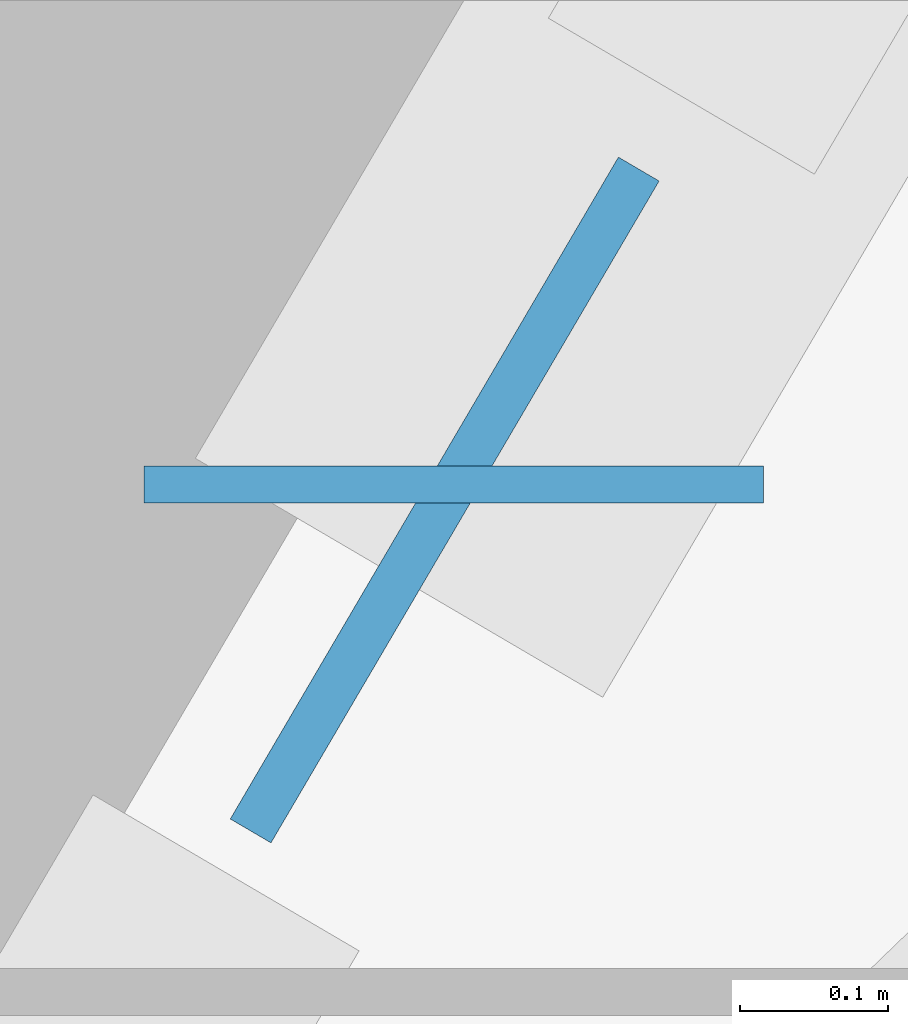
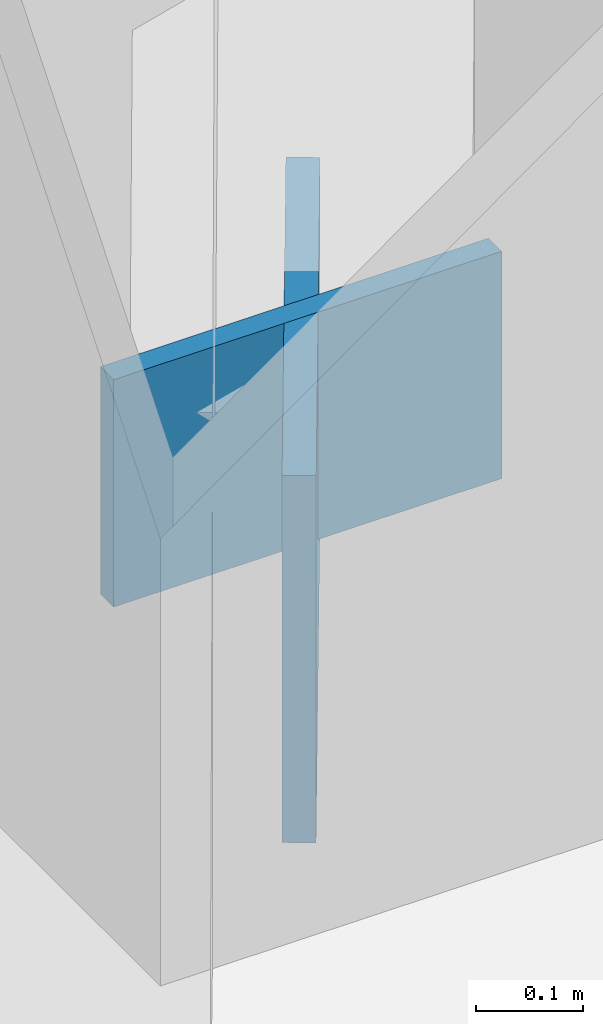
# One storey, part 5 of 13: 2 plates.
"""IFC4 building model written with IfcOpenShell, lengths in metres."""

from ifc_helpers import new_model, si_unit, direction, frame, origin, origin_2d, place, context, subcontext, project, spatial, rectangle, extrude, material, layer, layer_set, type_object, element, save


model = new_model("IFC4")

# Units and contexts
model_context = context("Model", 3, precision=1e-05, world=origin(), true_north=direction((0.0, 1.0)))
body_context = subcontext(model_context, "Body", "Model", "MODEL_VIEW")
ifc_project = project(units=[si_unit("LENGTHUNIT", "METRE"), si_unit("AREAUNIT", "SQUARE_METRE"), si_unit("VOLUMEUNIT", "CUBIC_METRE"), si_unit("PLANEANGLEUNIT", "RADIAN"), si_unit("MASSUNIT", "GRAM", prefix="KILO")], contexts=[model_context])

# Site, building, storey
site_placement = place(None, origin())
site = spatial("IfcSite", under=ifc_project, at=site_placement, CompositionType="ELEMENT")
building_placement = place(site_placement, origin())
building = spatial("IfcBuilding", under=site, at=building_placement, Name="Kavelnor Concourse Tower", CompositionType="ELEMENT")
storey_placement = place(building_placement, frame((0.0, 0.0, 131.699951171875)))
storey = spatial("IfcBuildingStorey", under=building, at=storey_placement, Name="L33", CompositionType="ELEMENT", Elevation=131.699951171875)

# Plates
ifc_material = material(Name="Steel Grade 350", Category="steel")
ifc_layer_1 = layer(ifc_material, 0.031982421875, Name="Steel Grade 350")
ifc_layer_set_1 = layer_set([ifc_layer_1], Name="Steel Grade 350")
plate_type_1 = type_object("IfcPlateType", Name="PL-GUSSET-TUBE-Z1", PredefinedType="USERDEFINED", material=ifc_layer_set_1)
plate_1_placement = place(storey_placement, frame((23.12744140625, 28.1650390625, 0.010009765625), z_axis=(0.0, 0.0, 1.0), x_axis=(0.505883219381, 0.862601975623, 0.0)))
element("IfcPlate", 1, at=plate_1_placement, inside=storey, type_object=plate_type_1, Name="L33 Tube Brace Gusset GP3 F0-B2 End Gusset A", ObjectType="GUSSET_PLATE", PredefinedType="USERDEFINED", context=body_context, shape_type="SweptSolid", body=[
    extrude(rectangle(XDim=0.52001953125, YDim=0.031982421875, at=origin_2d()), origin(), (0.0, 0.0, 1.0), 0.419921875),
])
ifc_layer_2 = layer(ifc_material, 0.02490234375, Name="Steel Grade 350")
ifc_layer_set_2 = layer_set([ifc_layer_2], Name="Steel Grade 350")
plate_type_2 = type_object("IfcPlateType", Name="PL-SPLICE-FLANGE", PredefinedType="SHEET", material=ifc_layer_set_2)
plate_2_placement = place(storey_placement, frame((23.133544921875, 28.175537109375, 0.169921875), z_axis=(0.0, 0.0, 1.0), x_axis=(1.0, 0.0, 0.0)))
element("IfcPlate", 2, at=plate_2_placement, inside=storey, type_object=plate_type_2, Name="L33 Column Flange Splice Plate F0-B3", PredefinedType="SHEET", context=body_context, shape_type="SweptSolid", body=[
    extrude(rectangle(XDim=0.419921875, YDim=0.02490234375, at=origin_2d()), origin(), (0.0, 0.0, 1.0), 0.260009765625),
])

save(model, "model.ifc")
